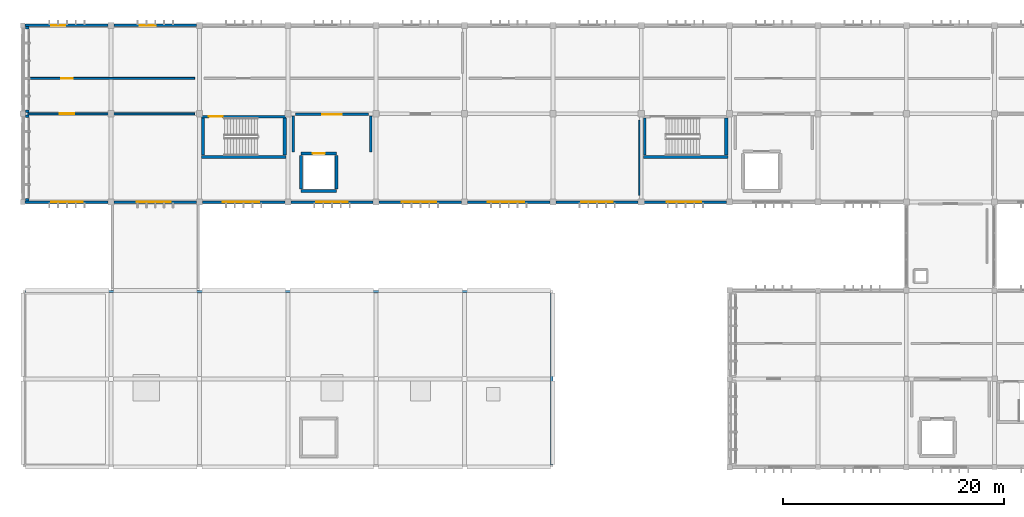
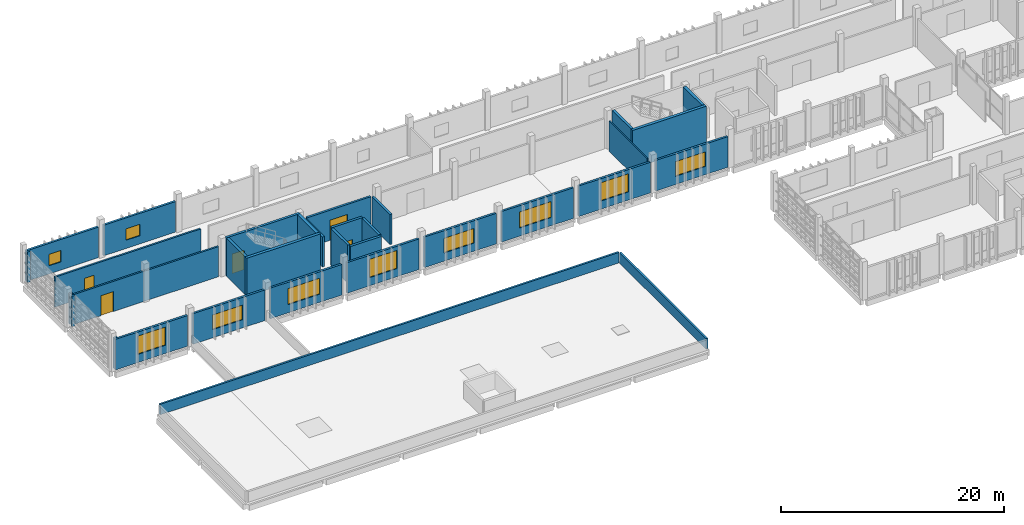
# One storey, part 20 of 32: 33 walls, 10 windows, 5 doors, 15 openings.
"""IFC4 building model written with IfcOpenShell, lengths in metres."""

from ifc_helpers import new_model, si_unit, direction, frame, frame_2d, origin, place, context, subcontext, project, spatial, rectangle, extrude, material, layer, layer_set, type_object, element, fill, save


model = new_model("IFC4")

# Units and contexts
model_context = context("Model", 3, precision=1e-05, world=origin(), true_north=direction((0.0, 1.0)))
body_context = subcontext(model_context, "Body", "Model", "MODEL_VIEW")
ifc_project = project(units=[si_unit("LENGTHUNIT", "METRE"), si_unit("AREAUNIT", "SQUARE_METRE"), si_unit("VOLUMEUNIT", "CUBIC_METRE"), si_unit("PLANEANGLEUNIT", "RADIAN"), si_unit("MASSUNIT", "GRAM", prefix="KILO")], contexts=[model_context])

# Site, building, storey
site_placement = place(None, origin())
site = spatial("IfcSite", under=ifc_project, at=site_placement, CompositionType="ELEMENT")
building_placement = place(site_placement, origin())
building = spatial("IfcBuilding", under=site, at=building_placement, Name="Jelvoka-Kovrelna Polytechnic", CompositionType="ELEMENT")
storey_placement = place(building_placement, frame((0.0, 0.0, 26.39990234375)))
storey = spatial("IfcBuildingStorey", under=building, at=storey_placement, Name="L07", CompositionType="ELEMENT", Elevation=26.39990234375)

# Wall, opening, door
ifc_material_1 = material(Name="Concrete C35/45", Category="concrete")
ifc_layer_1 = layer(ifc_material_1, 0.219970703125)
ifc_layer_set_1 = layer_set([ifc_layer_1], Name="Concrete C35/45")
wall_type_1 = type_object("IfcWallType", Name="Wall_Compartment_220", PredefinedType="PARTITIONING", material=ifc_layer_set_1)
wall_1_placement = place(storey_placement, frame((88.699951171875, 63.949951171875, 0.0), z_axis=(0.0, 0.0, 1.0), x_axis=(1.0, 0.0, 0.0)))
wall_1 = element("IfcWall", 1, at=wall_1_placement, inside=storey, type_object=wall_type_1, Name="L07 interior wall 0310", PredefinedType="PARTITIONING", context=body_context, shape_type="SweptSolid", body=[
    extrude(rectangle(XDim=6.60009765625, YDim=0.219970703125, at=frame_2d((3.300048828125, 0.0))), origin(), (0.0, 0.0, 1.0), 3.300048828125),
])
opening_1_placement = place(wall_1_placement, frame((2.39990234375, 0.0, 0.0)))
opening_1 = element("IfcOpeningElement", 2, at=opening_1_placement, cuts=wall_1, Name="Opening FD-L07-071", PredefinedType="OPENING", context=body_context, shape_type="SweptSolid", body=[
    extrude(rectangle(XDim=1.800048828125, YDim=2.199951171875, at=frame_2d((0.89990234375, 1.10009765625))), frame((0.0, 0.119873046875, 0.0), z_axis=(0.0, -1.0, 0.0), x_axis=(1.0, 0.0, 0.0)), (0.0, 0.0, 1.0), 0.239990234375),
])
ifc_material_2 = material(Name="Paired steel corridor fire door", Category="steel")
door_type_1 = type_object("IfcDoorType", Name="Door_Fire_FD03", OperationType="NOTDEFINED", PredefinedType="DOOR", material=ifc_material_2)
door_1_placement = place(opening_1_placement, origin())
door_1 = element("IfcDoor", 3, at=door_1_placement, inside=storey, type_object=door_type_1, Name="L07 interior door FD-L07-071", OperationType="DOUBLE_DOOR_SINGLE_SWING", OverallHeight=2.199951171875, OverallWidth=1.800048828125, PredefinedType="DOOR", context=body_context, shape_type="SweptSolid", body=[
    extrude(rectangle(XDim=1.800048828125, YDim=2.199951171875, at=frame_2d((0.89990234375, 1.10009765625))), frame((0.0, 0.02490234375, 0.0), z_axis=(0.0, -1.0, 0.0), x_axis=(1.0, 0.0, 0.0)), (0.0, 0.0, 1.0), 0.050048828125),
])
fill(opening_1, door_1)

# Walls
for number, where, z_axis, x_axis, name in (
    (4, (88.5, 60.550048828125, 0.0), (0.0, 0.0, 1.0), (0.0, 1.0, 0.0), "L07 interior wall 0311"),
    (5, (95.5, 60.550048828125, 0.0), (0.0, 0.0, 1.0), (0.0, 1.0, 0.0), "L07 interior wall 0312"),
):
    element("IfcWall", number, at=place(storey_placement, frame(where, z_axis=z_axis, x_axis=x_axis)), inside=storey, type_object=wall_type_1, Name=name, PredefinedType="PARTITIONING", context=body_context, shape_type="SweptSolid", body=[
        extrude(rectangle(XDim=3.25, YDim=0.219970703125, at=frame_2d((1.625, 0.0))), origin(), (0.0, 0.0, 1.0), 3.300048828125),
    ])

# Wall, opening, door
ifc_material_3 = material(Name="Concrete C40/50", Category="concrete")
ifc_layer_2 = layer(ifc_material_3, 0.25)
ifc_layer_set_2 = layer_set([ifc_layer_2], Name="Concrete C40/50")
wall_type_2 = type_object("IfcWallType", Name="Wall_Core_250", PredefinedType="SOLIDWALL", material=ifc_layer_set_2)
wall_2_placement = place(storey_placement, frame((80.199951171875, 63.739990234375, 0.0), z_axis=(0.0, 0.0, 1.0), x_axis=(1.0, 0.0, 0.0)))
wall_2 = element("IfcWall", 6, at=wall_2_placement, inside=storey, type_object=wall_type_2, Name="L07 interior wall 0175", PredefinedType="SOLIDWALL", context=body_context, shape_type="SweptSolid", body=[
    extrude(rectangle(XDim=7.650146484375, YDim=0.25, at=frame_2d((3.8251953125, 0.0))), origin(), (0.0, 0.0, 1.0), 4.2001953125),
])
opening_2_placement = place(wall_2_placement, frame((0.64990234375, 0.0, 0.0)))
opening_2 = element("IfcOpeningElement", 7, at=opening_2_placement, cuts=wall_2, Name="Opening SD-L07-044", PredefinedType="OPENING", context=body_context, shape_type="SweptSolid", body=[
    extrude(rectangle(XDim=1.25, YDim=2.14990234375, at=frame_2d((0.625, 1.074951171875))), frame((0.0, 0.135009765625, 0.0), z_axis=(0.0, -1.0, 0.0), x_axis=(1.0, 0.0, 0.0)), (0.0, 0.0, 1.0), 0.27001953125),
])
ifc_material_4 = material(Name="Powder-coated steel fire door", Category="steel")
door_type_2 = type_object("IfcDoorType", Name="Door_Fire_FD02", OperationType="NOTDEFINED", PredefinedType="DOOR", material=ifc_material_4)
door_2_placement = place(opening_2_placement, origin())
door_2 = element("IfcDoor", 8, at=door_2_placement, inside=storey, type_object=door_type_2, Name="L07 interior door SD-L07-044", OperationType="SINGLE_SWING_LEFT", OverallHeight=2.14990234375, OverallWidth=1.25, PredefinedType="DOOR", context=body_context, shape_type="SweptSolid", body=[
    extrude(rectangle(XDim=1.25, YDim=2.14990234375, at=frame_2d((0.625, 1.074951171875))), frame((0.0, 0.02490234375, 0.0), z_axis=(0.0, -1.0, 0.0), x_axis=(1.0, 0.0, 0.0)), (0.0, 0.0, 1.0), 0.050048828125),
])
fill(opening_2, door_2)

# Walls
for number, where, z_axis, x_axis, name in (
    (9, (80.324951171875, 60.25, 0.0), (0.0, 0.0, 1.0), (0.0, 1.0, 0.0), "L07 interior wall 0176"),
    (10, (120.324951171875, 60.25, 0.0), (0.0, 0.0, 1.0), (0.0, 1.0, 0.0), "L07 interior wall 0248"),
):
    element("IfcWall", number, at=place(storey_placement, frame(where, z_axis=z_axis, x_axis=x_axis)), inside=storey, type_object=wall_type_2, Name=name, PredefinedType="SOLIDWALL", context=body_context, shape_type="SweptSolid", body=[
        extrude(rectangle(XDim=3.360107421875, YDim=0.25, at=frame_2d((1.68017578125, 0.0))), origin(), (0.0, 0.0, 1.0), 4.2001953125),
    ])
wall_3_placement = place(storey_placement, frame((89.199951171875, 57.0, 0.0), z_axis=(0.0, 0.0, 1.0), x_axis=(1.0, 0.0, 0.0)))
element("IfcWall", 11, at=wall_3_placement, inside=storey, type_object=wall_type_2, Name="L07 interior wall 0306", PredefinedType="SOLIDWALL", context=body_context, shape_type="SweptSolid", body=[
    extrude(rectangle(XDim=3.199951171875, YDim=0.25, at=frame_2d((1.60009765625, 0.0))), origin(), (0.0, 0.0, 1.0), 4.2001953125),
])

# Wall, opening, door
wall_4_placement = place(storey_placement, frame((89.199951171875, 60.39990234375, 0.0), z_axis=(0.0, 0.0, 1.0), x_axis=(1.0, 0.0, 0.0)))
wall_4 = element("IfcWall", 12, at=wall_4_placement, inside=storey, type_object=wall_type_2, Name="L07 interior wall 0307", PredefinedType="SOLIDWALL", context=body_context, shape_type="SweptSolid", body=[
    extrude(rectangle(XDim=3.199951171875, YDim=0.25, at=frame_2d((1.60009765625, 0.0))), origin(), (0.0, 0.0, 1.0), 4.2001953125),
])
opening_3_placement = place(wall_4_placement, frame((1.050048828125, 0.0, 0.0)))
opening_3 = element("IfcOpeningElement", 13, at=opening_3_placement, cuts=wall_4, Name="Opening LD-L07-08", PredefinedType="OPENING", context=body_context, shape_type="SweptSolid", body=[
    extrude(rectangle(XDim=1.10009765625, YDim=2.14990234375, at=frame_2d((0.550048828125, 1.074951171875))), frame((0.0, 0.135009765625, 0.0), z_axis=(0.0, -1.0, 0.0), x_axis=(1.0, 0.0, 0.0)), (0.0, 0.0, 1.0), 0.27001953125),
])
ifc_material_5 = material(Name="Brushed stainless steel sliding landing door", Category="steel")
door_type_3 = type_object("IfcDoorType", Name="Door_Lift_LD01", OperationType="NOTDEFINED", PredefinedType="DOOR", material=ifc_material_5)
door_3_placement = place(opening_3_placement, origin())
door_3 = element("IfcDoor", 14, at=door_3_placement, inside=storey, type_object=door_type_3, Name="L07 lift landing sliding door LD-L07-08", OperationType="DOUBLE_DOOR_SLIDING", OverallHeight=2.14990234375, OverallWidth=1.10009765625, PredefinedType="DOOR", context=body_context, shape_type="SweptSolid", body=[
    extrude(rectangle(XDim=1.10009765625, YDim=2.14990234375, at=frame_2d((0.550048828125, 1.074951171875))), frame((0.0, 0.02490234375, 0.0), z_axis=(0.0, -1.0, 0.0), x_axis=(1.0, 0.0, 0.0)), (0.0, 0.0, 1.0), 0.050048828125),
])
fill(opening_3, door_3)

# Walls
for number, where, z_axis, x_axis, name in (
    (15, (89.199951171875, 57.199951171875, 0.0), (0.0, 0.0, 1.0), (0.0, 1.0, 0.0), "L07 interior wall 0308"),
    (16, (92.39990234375, 57.199951171875, 0.0), (0.0, 0.0, 1.0), (0.0, 1.0, 0.0), "L07 interior wall 0309"),
):
    element("IfcWall", number, at=place(storey_placement, frame(where, z_axis=z_axis, x_axis=x_axis)), inside=storey, type_object=wall_type_2, Name=name, PredefinedType="SOLIDWALL", context=body_context, shape_type="SweptSolid", body=[
        extrude(rectangle(XDim=3.0, YDim=0.25, at=frame_2d((1.5, 0.0))), origin(), (0.0, 0.0, 1.0), 4.2001953125),
    ])

# Wall, opening, door
ifc_material_6 = material(Name="Autoclaved aerated concrete blockwork", Category="masonry")
ifc_layer_3 = layer(ifc_material_6, 0.179931640625)
ifc_layer_set_3 = layer_set([ifc_layer_3], Name="Autoclaved aerated concrete blockwork")
wall_type_3 = type_object("IfcWallType", Name="Wall_Corridor_180", PredefinedType="PARTITIONING", material=ifc_layer_set_3)
wall_5_placement = place(storey_placement, frame((64.429931640625, 64.0, 0.0), z_axis=(0.0, 0.0, 1.0), x_axis=(1.0, 0.0, 0.0)))
wall_5 = element("IfcWall", 17, at=wall_5_placement, inside=storey, type_object=wall_type_3, Name="L07 interior wall 1284", PredefinedType="PARTITIONING", context=body_context, shape_type="SweptSolid", body=[
    extrude(rectangle(XDim=15.14013671875, YDim=0.179931640625, at=frame_2d((7.570068359375, 0.0))), origin(), (0.0, 0.0, 1.0), 3.300048828125),
])
opening_4_placement = place(wall_5_placement, frame((2.919921875, 0.0, 0.0)))
opening_4 = element("IfcOpeningElement", 18, at=opening_4_placement, cuts=wall_5, Name="Opening D-L07-450", PredefinedType="OPENING", context=body_context, shape_type="SweptSolid", body=[
    extrude(rectangle(XDim=1.300048828125, YDim=2.179931640625, at=frame_2d((0.64990234375, 1.08984375))), frame((0.0, 0.099853515625, 0.0), z_axis=(0.0, -1.0, 0.0), x_axis=(1.0, 0.0, 0.0)), (0.0, 0.0, 1.0), 0.199951171875),
])
ifc_material_7 = material(Name="Hardwood fire-resisting reading hall door", Category="wood")
door_type_4 = type_object("IfcDoorType", Name="Door_Fire_FD30_05", OperationType="NOTDEFINED", PredefinedType="DOOR", material=ifc_material_7)
door_4_placement = place(opening_4_placement, origin())
door_4 = element("IfcDoor", 19, at=door_4_placement, inside=storey, type_object=door_type_4, Name="L07 interior door D-L07-450", OperationType="SINGLE_SWING_LEFT", OverallHeight=2.179931640625, OverallWidth=1.300048828125, PredefinedType="DOOR", context=body_context, shape_type="SweptSolid", body=[
    extrude(rectangle(XDim=1.300048828125, YDim=2.179931640625, at=frame_2d((0.64990234375, 1.08984375))), frame((0.0, 0.02490234375, 0.0), z_axis=(0.0, -1.0, 0.0), x_axis=(1.0, 0.0, 0.0)), (0.0, 0.0, 1.0), 0.050048828125),
])
fill(opening_4, door_4)

wall_6_placement = place(storey_placement, frame((64.429931640625, 67.199951171875, 0.0), z_axis=(0.0, 0.0, 1.0), x_axis=(1.0, 0.0, 0.0)))
wall_6 = element("IfcWall", 20, at=wall_6_placement, inside=storey, type_object=wall_type_3, Name="L07 interior wall 1291", PredefinedType="PARTITIONING", context=body_context, shape_type="SweptSolid", body=[
    extrude(rectangle(XDim=15.14013671875, YDim=0.179931640625, at=frame_2d((7.570068359375, 0.0))), origin(), (0.0, 0.0, 1.0), 3.300048828125),
])
opening_5_placement = place(wall_6_placement, frame((3.06005859375, 0.0, 0.0)))
opening_5 = element("IfcOpeningElement", 21, at=opening_5_placement, cuts=wall_6, Name="Opening D-L07-455", PredefinedType="OPENING", context=body_context, shape_type="SweptSolid", body=[
    extrude(rectangle(XDim=1.02001953125, YDim=2.10009765625, at=frame_2d((0.510009765625, 1.050048828125))), frame((0.0, 0.099853515625, 0.0), z_axis=(0.0, -1.0, 0.0), x_axis=(1.0, 0.0, 0.0)), (0.0, 0.0, 1.0), 0.199951171875),
])
ifc_material_8 = material(Name="Hardwood solid-core door", Category="wood")
door_type_5 = type_object("IfcDoorType", Name="Door_Int_D04", OperationType="NOTDEFINED", PredefinedType="DOOR", material=ifc_material_8)
door_5_placement = place(opening_5_placement, origin())
door_5 = element("IfcDoor", 22, at=door_5_placement, inside=storey, type_object=door_type_5, Name="L07 interior door D-L07-455", OperationType="SINGLE_SWING_LEFT", OverallHeight=2.10009765625, OverallWidth=1.02001953125, PredefinedType="DOOR", context=body_context, shape_type="SweptSolid", body=[
    extrude(rectangle(XDim=1.02001953125, YDim=2.10009765625, at=frame_2d((0.510009765625, 1.050048828125))), frame((0.0, 0.02490234375, 0.0), z_axis=(0.0, -1.0, 0.0), x_axis=(1.0, 0.0, 0.0)), (0.0, 0.0, 1.0), 0.050048828125),
])
fill(opening_5, door_5)

# Wall, opening, window
ifc_material_9 = material(Name="Precast concrete C40/50", Category="concrete")
ifc_layer_4 = layer(ifc_material_9, 0.219970703125)
ifc_layer_set_4 = layer_set([ifc_layer_4], Name="Precast concrete C40/50")
wall_type_4 = type_object("IfcWallType", Name="Wall_Ext_White_220", PredefinedType="STANDARD", material=ifc_layer_set_4)
wall_7_placement = place(storey_placement, frame((71.72802734375, 56.0, 0.0), z_axis=(0.0, 0.0, 1.0), x_axis=(-1.0, 0.0, 0.0)))
wall_7 = element("IfcWall", 23, at=wall_7_placement, inside=storey, type_object=wall_type_4, Name="L07 exterior wall 0781", PredefinedType="STANDARD", context=body_context, shape_type="SweptSolid", body=[
    extrude(rectangle(XDim=7.506103515625, YDim=0.219970703125, at=frame_2d((3.7529296875, 0.0))), origin(), (0.0, 0.0, 1.0), 3.35009765625),
])
opening_6_placement = place(wall_7_placement, frame((2.30810546875, 0.0, 0.89990234375)))
opening_6 = element("IfcOpeningElement", 24, at=opening_6_placement, cuts=wall_7, Name="Opening W-L07-435", PredefinedType="OPENING", context=body_context, shape_type="SweptSolid", body=[
    extrude(rectangle(XDim=2.85009765625, YDim=2.0, at=frame_2d((1.425048828125, 1.0))), frame((0.0, 0.119873046875, 0.0), z_axis=(0.0, -1.0, 0.0), x_axis=(1.0, 0.0, 0.0)), (0.0, 0.0, 1.0), 0.239990234375),
])
ifc_material_10 = material(Name="Thermally broken anodised aluminium and low-e glazing", Category="aluminium")
window_type_1 = type_object("IfcWindowType", Name="Win_Casement_W60", PartitioningType="DOUBLE_PANEL_VERTICAL", PredefinedType="WINDOW", material=ifc_material_10)
window_1_placement = place(opening_6_placement, origin())
window_1 = element("IfcWindow", 25, at=window_1_placement, inside=storey, type_object=window_type_1, Name="L07 aluminium casement window W-L07-435", OverallHeight=2.0, OverallWidth=2.85009765625, PartitioningType="DOUBLE_PANEL_VERTICAL", PredefinedType="WINDOW", context=body_context, shape_type="SweptSolid", body=[
    extrude(rectangle(XDim=2.85009765625, YDim=2.0, at=frame_2d((1.425048828125, 1.0))), frame((0.0, 0.030029296875, 0.0), z_axis=(0.0, -1.0, 0.0), x_axis=(1.0, 0.0, 0.0)), (0.0, 0.0, 1.0), 0.06005859375),
])
fill(opening_6, window_1)

wall_8_placement = place(storey_placement, frame((64.221923828125, 72.0, 0.0), z_axis=(0.0, 0.0, 1.0), x_axis=(1.0, 0.0, 0.0)))
wall_8 = element("IfcWall", 26, at=wall_8_placement, inside=storey, type_object=wall_type_4, Name="L07 exterior wall 0782", PredefinedType="STANDARD", context=body_context, shape_type="SweptSolid", body=[
    extrude(rectangle(XDim=7.506103515625, YDim=0.219970703125, at=frame_2d((3.7529296875, 0.0))), origin(), (0.0, 0.0, 1.0), 3.35009765625),
])
opening_7_placement = place(wall_8_placement, frame((2.35791015625, 0.0, 0.89990234375)))
opening_7 = element("IfcOpeningElement", 27, at=opening_7_placement, cuts=wall_8, Name="Opening W-L07-436", PredefinedType="OPENING", context=body_context, shape_type="SweptSolid", body=[
    extrude(rectangle(XDim=1.25, YDim=1.25, at=frame_2d((0.625, 0.625))), frame((0.0, 0.119873046875, 0.0), z_axis=(0.0, -1.0, 0.0), x_axis=(1.0, 0.0, 0.0)), (0.0, 0.0, 1.0), 0.239990234375),
])
ifc_material_11 = material(Name="Thermally broken anodised aluminium and low-e glazing", Category="aluminium")
window_type_2 = type_object("IfcWindowType", Name="Win_Casement_W02", PartitioningType="SINGLE_PANEL", PredefinedType="WINDOW", material=ifc_material_11)
window_2_placement = place(opening_7_placement, origin())
window_2 = element("IfcWindow", 28, at=window_2_placement, inside=storey, type_object=window_type_2, Name="L07 aluminium casement window W-L07-436", OverallHeight=1.25, OverallWidth=1.25, PartitioningType="SINGLE_PANEL", PredefinedType="WINDOW", context=body_context, shape_type="SweptSolid", body=[
    extrude(rectangle(XDim=1.25, YDim=1.25, at=frame_2d((0.625, 0.625))), frame((0.0, 0.030029296875, 0.0), z_axis=(0.0, -1.0, 0.0), x_axis=(1.0, 0.0, 0.0)), (0.0, 0.0, 1.0), 0.06005859375),
])
fill(opening_7, window_2)

wall_9_placement = place(storey_placement, frame((79.72802734375, 56.0, 0.0), z_axis=(0.0, 0.0, 1.0), x_axis=(-1.0, 0.0, 0.0)))
wall_9 = element("IfcWall", 29, at=wall_9_placement, inside=storey, type_object=wall_type_4, Name="L07 exterior wall 0783", PredefinedType="STANDARD", context=body_context, shape_type="SweptSolid", body=[
    extrude(rectangle(XDim=7.4560546875, YDim=0.219970703125, at=frame_2d((3.72802734375, 0.0))), origin(), (0.0, 0.0, 1.0), 3.35009765625),
])
opening_8_placement = place(wall_9_placement, frame((2.30810546875, 0.0, 0.89990234375)))
opening_8 = element("IfcOpeningElement", 30, at=opening_8_placement, cuts=wall_9, Name="Opening W-L07-437", PredefinedType="OPENING", context=body_context, shape_type="SweptSolid", body=[
    extrude(rectangle(XDim=3.10009765625, YDim=1.60009765625, at=frame_2d((1.550048828125, 0.800048828125))), frame((0.0, 0.119873046875, 0.0), z_axis=(0.0, -1.0, 0.0), x_axis=(1.0, 0.0, 0.0)), (0.0, 0.0, 1.0), 0.239990234375),
])
ifc_material_12 = material(Name="Thermally broken anodised aluminium and low-e glazing", Category="aluminium")
window_type_3 = type_object("IfcWindowType", Name="Win_Casement_W61", PartitioningType="DOUBLE_PANEL_VERTICAL", PredefinedType="WINDOW", material=ifc_material_12)
window_3_placement = place(opening_8_placement, origin())
window_3 = element("IfcWindow", 31, at=window_3_placement, inside=storey, type_object=window_type_3, Name="L07 aluminium casement window W-L07-437", OverallHeight=1.60009765625, OverallWidth=3.10009765625, PartitioningType="DOUBLE_PANEL_VERTICAL", PredefinedType="WINDOW", context=body_context, shape_type="SweptSolid", body=[
    extrude(rectangle(XDim=3.10009765625, YDim=1.60009765625, at=frame_2d((1.550048828125, 0.800048828125))), frame((0.0, 0.030029296875, 0.0), z_axis=(0.0, -1.0, 0.0), x_axis=(1.0, 0.0, 0.0)), (0.0, 0.0, 1.0), 0.06005859375),
])
fill(opening_8, window_3)

wall_10_placement = place(storey_placement, frame((72.27197265625, 72.0, 0.0), z_axis=(0.0, 0.0, 1.0), x_axis=(1.0, 0.0, 0.0)))
wall_10 = element("IfcWall", 32, at=wall_10_placement, inside=storey, type_object=wall_type_4, Name="L07 exterior wall 0784", PredefinedType="STANDARD", context=body_context, shape_type="SweptSolid", body=[
    extrude(rectangle(XDim=7.4560546875, YDim=0.219970703125, at=frame_2d((3.72802734375, 0.0))), origin(), (0.0, 0.0, 1.0), 3.35009765625),
])
opening_9_placement = place(wall_10_placement, frame((2.30810546875, 0.0, 0.89990234375)))
opening_9 = element("IfcOpeningElement", 33, at=opening_9_placement, cuts=wall_10, Name="Opening W-L07-438", PredefinedType="OPENING", context=body_context, shape_type="SweptSolid", body=[
    extrude(rectangle(XDim=1.449951171875, YDim=1.25, at=frame_2d((0.72509765625, 0.625))), frame((0.0, 0.119873046875, 0.0), z_axis=(0.0, -1.0, 0.0), x_axis=(1.0, 0.0, 0.0)), (0.0, 0.0, 1.0), 0.239990234375),
])
ifc_material_13 = material(Name="Thermally broken anodised aluminium and low-e glazing", Category="aluminium")
window_type_4 = type_object("IfcWindowType", Name="Win_Casement_W03", PartitioningType="SINGLE_PANEL", PredefinedType="WINDOW", material=ifc_material_13)
window_4_placement = place(opening_9_placement, origin())
window_4 = element("IfcWindow", 34, at=window_4_placement, inside=storey, type_object=window_type_4, Name="L07 aluminium casement window W-L07-438", OverallHeight=1.25, OverallWidth=1.449951171875, PartitioningType="SINGLE_PANEL", PredefinedType="WINDOW", context=body_context, shape_type="SweptSolid", body=[
    extrude(rectangle(XDim=1.449951171875, YDim=1.25, at=frame_2d((0.72509765625, 0.625))), frame((0.0, 0.030029296875, 0.0), z_axis=(0.0, -1.0, 0.0), x_axis=(1.0, 0.0, 0.0)), (0.0, 0.0, 1.0), 0.06005859375),
])
fill(opening_9, window_4)

wall_11_placement = place(storey_placement, frame((87.72802734375, 56.0, 0.0), z_axis=(0.0, 0.0, 1.0), x_axis=(-1.0, 0.0, 0.0)))
wall_11 = element("IfcWall", 35, at=wall_11_placement, inside=storey, type_object=wall_type_4, Name="L07 exterior wall 0785", PredefinedType="STANDARD", context=body_context, shape_type="SweptSolid", body=[
    extrude(rectangle(XDim=7.4560546875, YDim=0.219970703125, at=frame_2d((3.72802734375, 0.0))), origin(), (0.0, 0.0, 1.0), 3.35009765625),
])
opening_10_placement = place(wall_11_placement, frame((2.30810546875, 0.0, 0.89990234375)))
opening_10 = element("IfcOpeningElement", 36, at=opening_10_placement, cuts=wall_11, Name="Opening W-L07-439", PredefinedType="OPENING", context=body_context, shape_type="SweptSolid", body=[
    extrude(rectangle(XDim=3.300048828125, YDim=1.75, at=frame_2d((1.64990234375, 0.875))), frame((0.0, 0.119873046875, 0.0), z_axis=(0.0, -1.0, 0.0), x_axis=(1.0, 0.0, 0.0)), (0.0, 0.0, 1.0), 0.239990234375),
])
ifc_material_14 = material(Name="Thermally broken anodised aluminium and low-e glazing", Category="aluminium")
window_type_5 = type_object("IfcWindowType", Name="Win_Casement_W62", PartitioningType="DOUBLE_PANEL_VERTICAL", PredefinedType="WINDOW", material=ifc_material_14)
window_5_placement = place(opening_10_placement, origin())
window_5 = element("IfcWindow", 37, at=window_5_placement, inside=storey, type_object=window_type_5, Name="L07 aluminium casement window W-L07-439", OverallHeight=1.75, OverallWidth=3.300048828125, PartitioningType="DOUBLE_PANEL_VERTICAL", PredefinedType="WINDOW", context=body_context, shape_type="SweptSolid", body=[
    extrude(rectangle(XDim=3.300048828125, YDim=1.75, at=frame_2d((1.64990234375, 0.875))), frame((0.0, 0.030029296875, 0.0), z_axis=(0.0, -1.0, 0.0), x_axis=(1.0, 0.0, 0.0)), (0.0, 0.0, 1.0), 0.06005859375),
])
fill(opening_10, window_5)

wall_12_placement = place(storey_placement, frame((95.72802734375, 56.0, 0.0), z_axis=(0.0, 0.0, 1.0), x_axis=(-1.0, 0.0, 0.0)))
wall_12 = element("IfcWall", 38, at=wall_12_placement, inside=storey, type_object=wall_type_4, Name="L07 exterior wall 0787", PredefinedType="STANDARD", context=body_context, shape_type="SweptSolid", body=[
    extrude(rectangle(XDim=7.4560546875, YDim=0.219970703125, at=frame_2d((3.72802734375, 0.0))), origin(), (0.0, 0.0, 1.0), 3.35009765625),
])
opening_11_placement = place(wall_12_placement, frame((2.30810546875, 0.0, 0.89990234375)))
opening_11 = element("IfcOpeningElement", 39, at=opening_11_placement, cuts=wall_12, Name="Opening W-L07-441", PredefinedType="OPENING", context=body_context, shape_type="SweptSolid", body=[
    extrude(rectangle(XDim=2.85009765625, YDim=2.0, at=frame_2d((1.425048828125, 1.0))), frame((0.0, 0.119873046875, 0.0), z_axis=(0.0, -1.0, 0.0), x_axis=(1.0, 0.0, 0.0)), (0.0, 0.0, 1.0), 0.239990234375),
])
window_6_placement = place(opening_11_placement, origin())
window_6 = element("IfcWindow", 40, at=window_6_placement, inside=storey, type_object=window_type_1, Name="L07 aluminium casement window W-L07-441", OverallHeight=2.0, OverallWidth=2.85009765625, PartitioningType="DOUBLE_PANEL_VERTICAL", PredefinedType="WINDOW", context=body_context, shape_type="SweptSolid", body=[
    extrude(rectangle(XDim=2.85009765625, YDim=2.0, at=frame_2d((1.425048828125, 1.0))), frame((0.0, 0.030029296875, 0.0), z_axis=(0.0, -1.0, 0.0), x_axis=(1.0, 0.0, 0.0)), (0.0, 0.0, 1.0), 0.06005859375),
])
fill(opening_11, window_6)

wall_13_placement = place(storey_placement, frame((103.72802734375, 56.0, 0.0), z_axis=(0.0, 0.0, 1.0), x_axis=(-1.0, 0.0, 0.0)))
wall_13 = element("IfcWall", 41, at=wall_13_placement, inside=storey, type_object=wall_type_4, Name="L07 exterior wall 0789", PredefinedType="STANDARD", context=body_context, shape_type="SweptSolid", body=[
    extrude(rectangle(XDim=7.4560546875, YDim=0.219970703125, at=frame_2d((3.72802734375, 0.0))), origin(), (0.0, 0.0, 1.0), 3.35009765625),
])
opening_12_placement = place(wall_13_placement, frame((2.30810546875, 0.0, 0.89990234375)))
opening_12 = element("IfcOpeningElement", 42, at=opening_12_placement, cuts=wall_13, Name="Opening W-L07-443", PredefinedType="OPENING", context=body_context, shape_type="SweptSolid", body=[
    extrude(rectangle(XDim=3.10009765625, YDim=1.60009765625, at=frame_2d((1.550048828125, 0.800048828125))), frame((0.0, 0.119873046875, 0.0), z_axis=(0.0, -1.0, 0.0), x_axis=(1.0, 0.0, 0.0)), (0.0, 0.0, 1.0), 0.239990234375),
])
window_7_placement = place(opening_12_placement, origin())
window_7 = element("IfcWindow", 43, at=window_7_placement, inside=storey, type_object=window_type_3, Name="L07 aluminium casement window W-L07-443", OverallHeight=1.60009765625, OverallWidth=3.10009765625, PartitioningType="DOUBLE_PANEL_VERTICAL", PredefinedType="WINDOW", context=body_context, shape_type="SweptSolid", body=[
    extrude(rectangle(XDim=3.10009765625, YDim=1.60009765625, at=frame_2d((1.550048828125, 0.800048828125))), frame((0.0, 0.030029296875, 0.0), z_axis=(0.0, -1.0, 0.0), x_axis=(1.0, 0.0, 0.0)), (0.0, 0.0, 1.0), 0.06005859375),
])
fill(opening_12, window_7)

wall_14_placement = place(storey_placement, frame((111.72802734375, 56.0, 0.0), z_axis=(0.0, 0.0, 1.0), x_axis=(-1.0, 0.0, 0.0)))
wall_14 = element("IfcWall", 44, at=wall_14_placement, inside=storey, type_object=wall_type_4, Name="L07 exterior wall 0791", PredefinedType="STANDARD", context=body_context, shape_type="SweptSolid", body=[
    extrude(rectangle(XDim=7.4560546875, YDim=0.219970703125, at=frame_2d((3.72802734375, 0.0))), origin(), (0.0, 0.0, 1.0), 3.35009765625),
])
opening_13_placement = place(wall_14_placement, frame((2.30810546875, 0.0, 0.89990234375)))
opening_13 = element("IfcOpeningElement", 45, at=opening_13_placement, cuts=wall_14, Name="Opening W-L07-445", PredefinedType="OPENING", context=body_context, shape_type="SweptSolid", body=[
    extrude(rectangle(XDim=3.300048828125, YDim=1.75, at=frame_2d((1.64990234375, 0.875))), frame((0.0, 0.119873046875, 0.0), z_axis=(0.0, -1.0, 0.0), x_axis=(1.0, 0.0, 0.0)), (0.0, 0.0, 1.0), 0.239990234375),
])
window_8_placement = place(opening_13_placement, origin())
window_8 = element("IfcWindow", 46, at=window_8_placement, inside=storey, type_object=window_type_5, Name="L07 aluminium casement window W-L07-445", OverallHeight=1.75, OverallWidth=3.300048828125, PartitioningType="DOUBLE_PANEL_VERTICAL", PredefinedType="WINDOW", context=body_context, shape_type="SweptSolid", body=[
    extrude(rectangle(XDim=3.300048828125, YDim=1.75, at=frame_2d((1.64990234375, 0.875))), frame((0.0, 0.030029296875, 0.0), z_axis=(0.0, -1.0, 0.0), x_axis=(1.0, 0.0, 0.0)), (0.0, 0.0, 1.0), 0.06005859375),
])
fill(opening_13, window_8)

wall_15_placement = place(storey_placement, frame((119.72802734375, 56.0, 0.0), z_axis=(0.0, 0.0, 1.0), x_axis=(-1.0, 0.0, 0.0)))
wall_15 = element("IfcWall", 47, at=wall_15_placement, inside=storey, type_object=wall_type_4, Name="L07 exterior wall 0793", PredefinedType="STANDARD", context=body_context, shape_type="SweptSolid", body=[
    extrude(rectangle(XDim=7.4560546875, YDim=0.219970703125, at=frame_2d((3.72802734375, 0.0))), origin(), (0.0, 0.0, 1.0), 3.35009765625),
])
opening_14_placement = place(wall_15_placement, frame((2.30810546875, 0.0, 0.89990234375)))
opening_14 = element("IfcOpeningElement", 48, at=opening_14_placement, cuts=wall_15, Name="Opening W-L07-447", PredefinedType="OPENING", context=body_context, shape_type="SweptSolid", body=[
    extrude(rectangle(XDim=2.85009765625, YDim=2.0, at=frame_2d((1.425048828125, 1.0))), frame((0.0, 0.119873046875, 0.0), z_axis=(0.0, -1.0, 0.0), x_axis=(1.0, 0.0, 0.0)), (0.0, 0.0, 1.0), 0.239990234375),
])
window_9_placement = place(opening_14_placement, origin())
window_9 = element("IfcWindow", 49, at=window_9_placement, inside=storey, type_object=window_type_1, Name="L07 aluminium casement window W-L07-447", OverallHeight=2.0, OverallWidth=2.85009765625, PartitioningType="DOUBLE_PANEL_VERTICAL", PredefinedType="WINDOW", context=body_context, shape_type="SweptSolid", body=[
    extrude(rectangle(XDim=2.85009765625, YDim=2.0, at=frame_2d((1.425048828125, 1.0))), frame((0.0, 0.030029296875, 0.0), z_axis=(0.0, -1.0, 0.0), x_axis=(1.0, 0.0, 0.0)), (0.0, 0.0, 1.0), 0.06005859375),
])
fill(opening_14, window_9)

wall_16_placement = place(storey_placement, frame((127.72802734375, 56.0, 0.0), z_axis=(0.0, 0.0, 1.0), x_axis=(-1.0, 0.0, 0.0)))
wall_16 = element("IfcWall", 50, at=wall_16_placement, inside=storey, type_object=wall_type_4, Name="L07 exterior wall 0795", PredefinedType="STANDARD", context=body_context, shape_type="SweptSolid", body=[
    extrude(rectangle(XDim=7.4560546875, YDim=0.219970703125, at=frame_2d((3.72802734375, 0.0))), origin(), (0.0, 0.0, 1.0), 3.35009765625),
])
opening_15_placement = place(wall_16_placement, frame((2.30810546875, 0.0, 0.89990234375)))
opening_15 = element("IfcOpeningElement", 51, at=opening_15_placement, cuts=wall_16, Name="Opening W-L07-449", PredefinedType="OPENING", context=body_context, shape_type="SweptSolid", body=[
    extrude(rectangle(XDim=3.10009765625, YDim=1.60009765625, at=frame_2d((1.550048828125, 0.800048828125))), frame((0.0, 0.119873046875, 0.0), z_axis=(0.0, -1.0, 0.0), x_axis=(1.0, 0.0, 0.0)), (0.0, 0.0, 1.0), 0.239990234375),
])
window_10_placement = place(opening_15_placement, origin())
window_10 = element("IfcWindow", 52, at=window_10_placement, inside=storey, type_object=window_type_3, Name="L07 aluminium casement window W-L07-449", OverallHeight=1.60009765625, OverallWidth=3.10009765625, PartitioningType="DOUBLE_PANEL_VERTICAL", PredefinedType="WINDOW", context=body_context, shape_type="SweptSolid", body=[
    extrude(rectangle(XDim=3.10009765625, YDim=1.60009765625, at=frame_2d((1.550048828125, 0.800048828125))), frame((0.0, 0.030029296875, 0.0), z_axis=(0.0, -1.0, 0.0), x_axis=(1.0, 0.0, 0.0)), (0.0, 0.0, 1.0), 0.06005859375),
])
fill(opening_15, window_10)

# Walls
ifc_material_15 = material(Name="Acoustic operable studio partition", Category="wood")
ifc_layer_5 = layer(ifc_material_15, 0.1298828125)
ifc_layer_set_5 = layer_set([ifc_layer_5], Name="Acoustic operable studio partition")
wall_type_5 = type_object("IfcWallType", Name="Wall_Movable_130", PredefinedType="MOVABLE", material=ifc_layer_set_5)
wall_17_placement = place(storey_placement, frame((119.820068359375, 56.6201171875, 0.0), z_axis=(0.0, 0.0, 1.0), x_axis=(0.0, 1.0, 0.0)))
element("IfcWall", 53, at=wall_17_placement, inside=storey, type_object=wall_type_5, Name="L07 interior wall 1286", PredefinedType="MOVABLE", context=body_context, shape_type="SweptSolid", body=[
    extrude(rectangle(XDim=6.809814453125, YDim=0.1298828125, at=frame_2d((3.40478515625, 0.0))), origin(), (0.0, 0.0, 1.0), 3.300048828125),
])
ifc_material_16 = material(Name="Precast concrete C40/50", Category="concrete")
ifc_layer_6 = layer(ifc_material_16, 0.199951171875)
ifc_layer_set_6 = layer_set([ifc_layer_6], Name="Precast concrete C40/50")
wall_type_6 = type_object("IfcWallType", Name="Wall_Parapet_200", PredefinedType="PARAPET", material=ifc_layer_set_6)
for number, where, z_axis, x_axis, name in (
    (54, (64.239990234375, 56.219970703125, 0.0), (0.0, 0.0, 1.0), (1.0, 0.0, 0.0), "L07 exterior wall 0810"),
    (55, (64.239990234375, 63.780029296875, 0.0), (0.0, 0.0, 1.0), (1.0, 0.0, 0.0), "L07 exterior wall 0811"),
    (56, (64.239990234375, 64.219970703125, 0.0), (0.0, 0.0, 1.0), (1.0, 0.0, 0.0), "L07 exterior wall 0812"),
    (57, (64.239990234375, 71.780029296875, 0.0), (0.0, 0.0, 1.0), (1.0, 0.0, 0.0), "L07 exterior wall 0813"),
):
    element("IfcWall", number, at=place(storey_placement, frame(where, z_axis=z_axis, x_axis=x_axis)), inside=storey, type_object=wall_type_6, Name=name, PredefinedType="PARAPET", context=body_context, shape_type="SweptSolid", body=[
        extrude(rectangle(XDim=0.320068359375, YDim=0.199951171875, at=frame_2d((0.16015625, 0.0))), origin(), (0.0, 0.0, 1.0), 3.35009765625),
    ])
wall_18_placement = place(storey_placement, frame((111.89990234375, 32.219970703125, 0.0), z_axis=(0.0, 0.0, 1.0), x_axis=(0.0, 1.0, 0.0)))
element("IfcWall", 58, at=wall_18_placement, inside=storey, type_object=wall_type_6, Name="L07 exterior wall 1208", PredefinedType="PARAPET", context=body_context, shape_type="SweptSolid", body=[
    extrude(rectangle(XDim=15.56005859375, YDim=0.199951171875, at=frame_2d((7.780029296875, 0.0))), origin(), (0.0, 0.0, 1.0), 1.150146484375),
])
wall_19_placement = place(storey_placement, frame((111.780029296875, 47.89990234375, 0.0), z_axis=(0.0, 0.0, 1.0), x_axis=(-1.0, 0.0, 0.0)))
element("IfcWall", 59, at=wall_19_placement, inside=storey, type_object=wall_type_6, Name="L07 exterior wall 1209", PredefinedType="PARAPET", context=body_context, shape_type="SweptSolid", body=[
    extrude(rectangle(XDim=47.56005859375, YDim=0.199951171875, at=frame_2d((23.780029296875, 0.0))), origin(), (0.0, 0.0, 1.0), 1.150146484375),
])
ifc_material_17 = material(Name="Concrete C40/50", Category="concrete")
ifc_layer_7 = layer(ifc_material_17, 0.300048828125)
ifc_layer_set_7 = layer_set([ifc_layer_7], Name="Concrete C40/50")
wall_type_7 = type_object("IfcWallType", Name="Wall_Shear_300", PredefinedType="SHEAR", material=ifc_layer_set_7)
wall_20_placement = place(storey_placement, frame((80.199951171875, 60.090087890625, 0.0), z_axis=(0.0, 0.0, 1.0), x_axis=(1.0, 0.0, 0.0)))
element("IfcWall", 60, at=wall_20_placement, inside=storey, type_object=wall_type_7, Name="L07 interior wall 0173", PredefinedType="SHEAR", context=body_context, shape_type="SweptSolid", body=[
    extrude(rectangle(XDim=7.650146484375, YDim=0.300048828125, at=frame_2d((3.8251953125, 0.0))), origin(), (0.0, 0.0, 1.0), 4.2001953125),
])
wall_21_placement = place(storey_placement, frame((87.7099609375, 60.25, 0.0), z_axis=(0.0, 0.0, 1.0), x_axis=(0.0, 1.0, 0.0)))
element("IfcWall", 61, at=wall_21_placement, inside=storey, type_object=wall_type_7, Name="L07 interior wall 0174", PredefinedType="SHEAR", context=body_context, shape_type="SweptSolid", body=[
    extrude(rectangle(XDim=3.360107421875, YDim=0.300048828125, at=frame_2d((1.68017578125, 0.0))), origin(), (0.0, 0.0, 1.0), 4.2001953125),
])
wall_22_placement = place(storey_placement, frame((120.199951171875, 60.090087890625, 0.0), z_axis=(0.0, 0.0, 1.0), x_axis=(1.0, 0.0, 0.0)))
element("IfcWall", 62, at=wall_22_placement, inside=storey, type_object=wall_type_7, Name="L07 interior wall 0245", PredefinedType="SHEAR", context=body_context, shape_type="SweptSolid", body=[
    extrude(rectangle(XDim=7.650146484375, YDim=0.300048828125, at=frame_2d((3.8251953125, 0.0))), origin(), (0.0, 0.0, 1.0), 4.2001953125),
])
wall_23_placement = place(storey_placement, frame((127.7099609375, 60.25, 0.0), z_axis=(0.0, 0.0, 1.0), x_axis=(0.0, 1.0, 0.0)))
element("IfcWall", 63, at=wall_23_placement, inside=storey, type_object=wall_type_7, Name="L07 interior wall 0246", PredefinedType="SHEAR", context=body_context, shape_type="SweptSolid", body=[
    extrude(rectangle(XDim=3.360107421875, YDim=0.300048828125, at=frame_2d((1.68017578125, 0.0))), origin(), (0.0, 0.0, 1.0), 4.2001953125),
])

save(model, "model.ifc")
